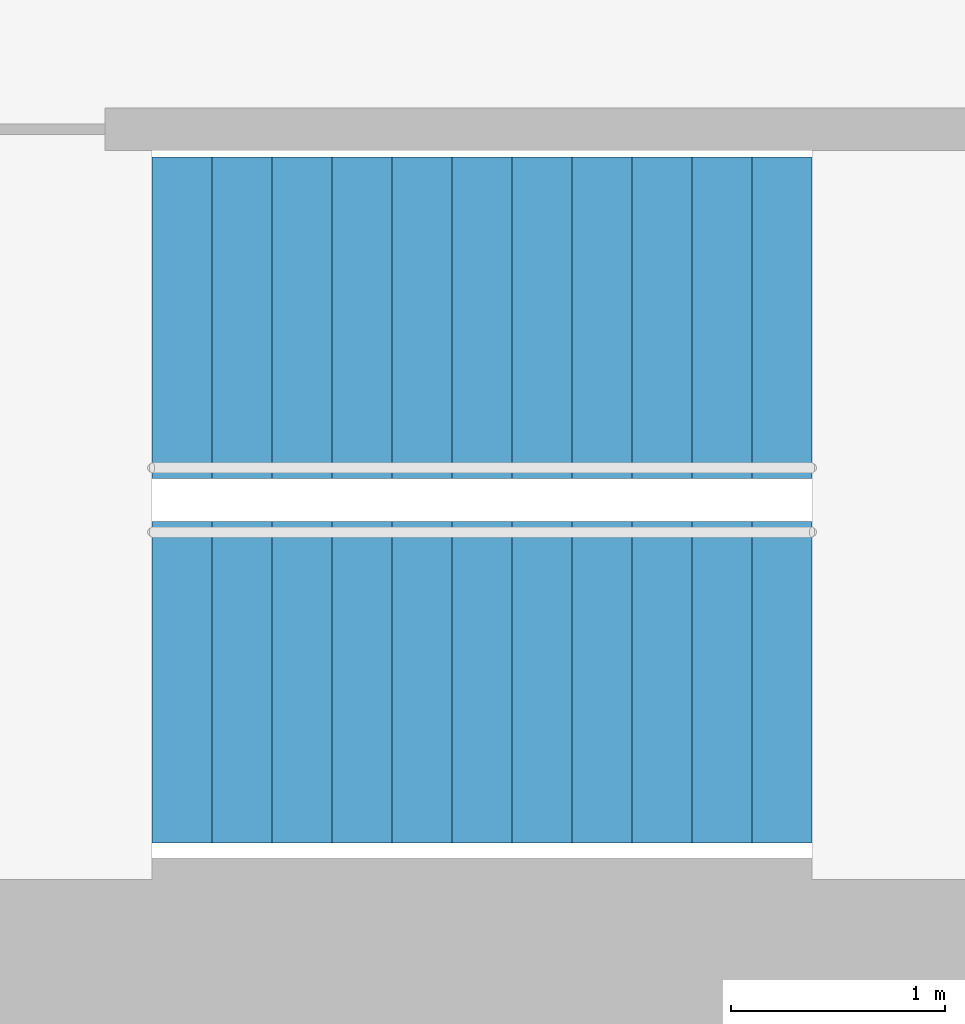
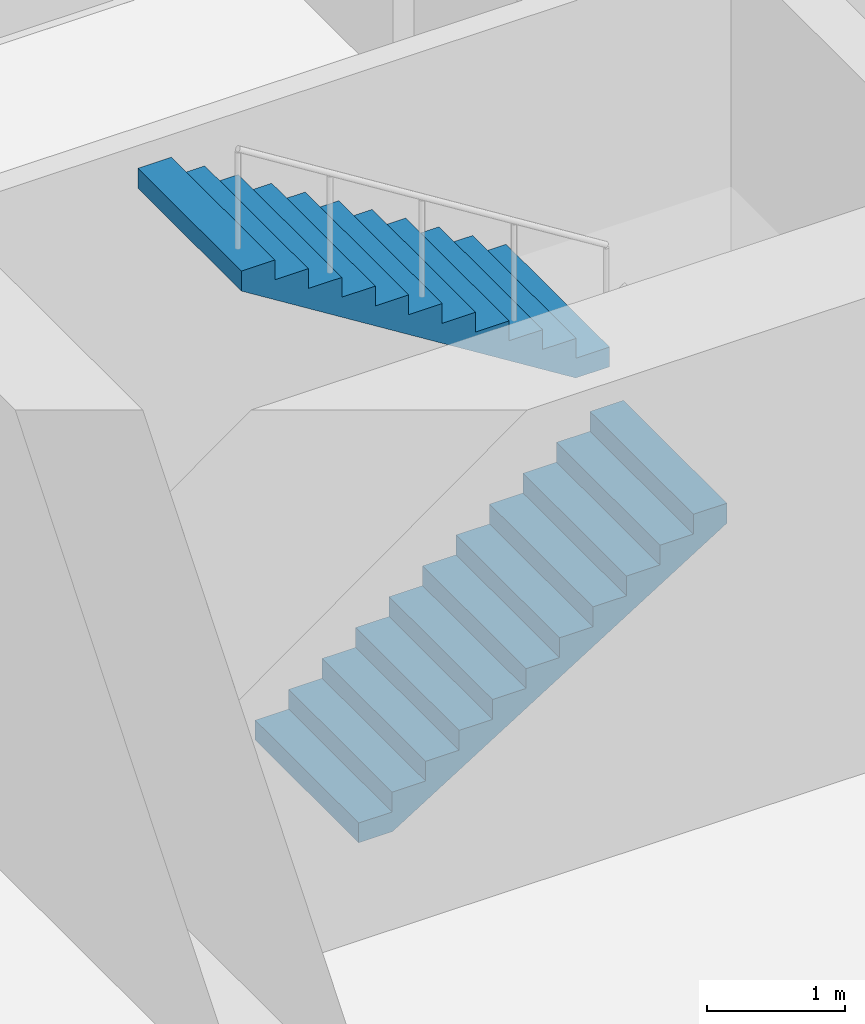
# One storey, part 14 of 17: 2 stair flights, 1 element without a shape of its own.
"""IFC4 building model written with IfcOpenShell, lengths in metres."""

from ifc_helpers import new_model, si_unit, direction, frame, origin, place, context, subcontext, project, spatial, triangles, material, type_object, element, aggregate, save


model = new_model("IFC4")

# Units and contexts
model_context = context("Model", 3, precision=1e-05, world=origin(), true_north=direction((0.0, 1.0)))
body_context = subcontext(model_context, "Body", "Model", "MODEL_VIEW")
ifc_project = project(units=[si_unit("LENGTHUNIT", "METRE"), si_unit("AREAUNIT", "SQUARE_METRE"), si_unit("VOLUMEUNIT", "CUBIC_METRE"), si_unit("PLANEANGLEUNIT", "RADIAN"), si_unit("MASSUNIT", "GRAM", prefix="KILO")], contexts=[model_context])

# Site, building, storey
site_placement = place(None, origin())
site = spatial("IfcSite", under=ifc_project, at=site_placement, CompositionType="ELEMENT")
building_placement = place(site_placement, origin())
building = spatial("IfcBuilding", under=site, at=building_placement, Name="Lantaw Convention Tower", CompositionType="ELEMENT")
storey_placement = place(building_placement, frame((0.0, 0.0, 199.0)))
storey = spatial("IfcBuildingStorey", under=building, at=storey_placement, Name="L46", CompositionType="ELEMENT", Elevation=199.0)

# Stair, stair flights
ifc_material = material(Name="Concrete C35/45", Category="concrete")
stair_type = type_object("IfcStairType", Name="Exit stair 1500 riser 175 in 2 flights", PredefinedType="HALF_TURN_STAIR", material=ifc_material)
stair_placement = place(storey_placement, origin())
stair = element("IfcStair", 1, at=stair_placement, inside=storey, type_object=stair_type, Name="Exit stair S1 L46", PredefinedType="HALF_TURN_STAIR")
stair_flight_type = type_object("IfcStairFlightType", Name="Stair flight 1500 riser 175", PredefinedType="STRAIGHT", material=ifc_material)
stair_flight_1_placement = place(storey_placement, frame((-10.580078125, -5.97998046875, 0.0), z_axis=(0.0, 0.0, 1.0), x_axis=(1.0, 0.0, 0.0)))
stair_flight_1 = element("IfcStairFlight", 2, at=stair_flight_1_placement, type_object=stair_flight_type, Name="S1 flight 1", NumberOfRisers=12, NumberOfTreads=11, PredefinedType="STRAIGHT", RiserHeight=0.175, TreadLength=0.28, context=body_context, shape_type="Tessellation", body=[
    triangles([(0.0, 0.75, 0.0), (0.0, 0.75, 0.175), (0.28, 0.75, 0.0), (0.28, 0.75, 0.175), (0.28, 0.75, 0.35), (0.28283517651771284, 0.75, 0.0), (0.28283517651771284, 0.75, 0.35), (0.56, 0.75, 0.17322801467642948), (0.56, 0.75, 0.35), (0.56, 0.75, 0.5249999999999999), (0.8400000000000001, 0.75, 0.34822801467642944), (0.8400000000000001, 0.75, 0.5249999999999999), (0.8400000000000001, 0.75, 0.7), (1.12, 0.75, 0.5232280146764294), (1.12, 0.75, 0.7), (1.12, 0.75, 0.875), (1.4000000000000001, 0.75, 0.6982280146764295), (1.4000000000000001, 0.75, 0.875), (1.4000000000000001, 0.75, 1.0499999999999998), (1.6800000000000002, 0.75, 0.8732280146764294), (1.6800000000000002, 0.75, 1.0499999999999998), (1.6800000000000002, 0.75, 1.2249999999999999), (1.9600000000000002, 0.75, 1.0482280146764293), (1.9600000000000002, 0.75, 1.2249999999999999), (1.9600000000000002, 0.75, 1.4), (2.24, 0.75, 1.2232280146764294), (2.24, 0.75, 1.4), (2.24, 0.75, 1.575), (2.5200000000000005, 0.75, 1.3982280146764294), (2.5200000000000005, 0.75, 1.575), (2.5200000000000005, 0.75, 1.75), (2.8000000000000003, 0.75, 1.5732280146764293), (2.8000000000000003, 0.75, 1.75), (2.8000000000000003, 0.75, 1.9249999999999998), (3.08, 0.75, 1.7482280146764293), (3.08, 0.75, 1.9249999999999998), (0.0, -0.75, 0.0), (0.0, -0.75, 0.175), (0.28, -0.75, 0.0), (0.28, -0.75, 0.175), (0.28, -0.75, 0.35), (0.28283517651771284, -0.75, 0.0), (0.28283517651771284, -0.75, 0.35), (0.56, -0.75, 0.17322801467642948), (0.56, -0.75, 0.35), (0.56, -0.75, 0.5249999999999999), (0.8400000000000001, -0.75, 0.34822801467642944), (0.8400000000000001, -0.75, 0.5249999999999999), (0.8400000000000001, -0.75, 0.7), (1.12, -0.75, 0.5232280146764294), (1.12, -0.75, 0.7), (1.12, -0.75, 0.875), (1.4000000000000001, -0.75, 0.6982280146764295), (1.4000000000000001, -0.75, 0.875), (1.4000000000000001, -0.75, 1.0499999999999998), (1.6800000000000002, -0.75, 0.8732280146764294), (1.6800000000000002, -0.75, 1.0499999999999998), (1.6800000000000002, -0.75, 1.2249999999999999), (1.9600000000000002, -0.75, 1.0482280146764293), (1.9600000000000002, -0.75, 1.2249999999999999), (1.9600000000000002, -0.75, 1.4), (2.24, -0.75, 1.2232280146764294), (2.24, -0.75, 1.4), (2.24, -0.75, 1.575), (2.5200000000000005, -0.75, 1.3982280146764294), (2.5200000000000005, -0.75, 1.575), (2.5200000000000005, -0.75, 1.75), (2.8000000000000003, -0.75, 1.5732280146764293), (2.8000000000000003, -0.75, 1.75), (2.8000000000000003, -0.75, 1.9249999999999998), (3.08, -0.75, 1.7482280146764293), (3.08, -0.75, 1.9249999999999998), (0.0, 0.15000000000000002, 0.175), (0.0, 0.15000000000000002, 0.0), (0.0, 0.0, 0.175), (0.0, 0.0, 0.0), (0.0, -0.15000000000000002, 0.175), (0.0, -0.15000000000000002, 0.0), (0.28, 0.15000000000000002, 0.35), (0.28, 0.15000000000000002, 0.175), (0.28, 0.0, 0.35), (0.28, 0.0, 0.175), (0.28, -0.15000000000000002, 0.35), (0.28, -0.15000000000000002, 0.175), (0.56, 0.15000000000000002, 0.5249999999999999), (0.56, 0.15000000000000002, 0.35), (0.56, 0.0, 0.5249999999999999), (0.56, 0.0, 0.35), (0.56, -0.15000000000000002, 0.5249999999999999), (0.56, -0.15000000000000002, 0.35), (0.8400000000000001, 0.15000000000000002, 0.7), (0.8400000000000001, 0.15000000000000002, 0.5249999999999999), (0.8400000000000001, 0.0, 0.7), (0.8400000000000001, 0.0, 0.5249999999999999), (0.8400000000000001, -0.15000000000000002, 0.7), (0.8400000000000001, -0.15000000000000002, 0.5249999999999999), (1.12, 0.15000000000000002, 0.875), (1.12, 0.15000000000000002, 0.7), (1.12, 0.0, 0.875), (1.12, 0.0, 0.7), (1.12, -0.15000000000000002, 0.875), (1.12, -0.15000000000000002, 0.7), (1.4000000000000001, 0.15000000000000002, 1.0499999999999998), (1.4000000000000001, 0.15000000000000002, 0.875), (1.4000000000000001, 0.0, 1.0499999999999998), (1.4000000000000001, 0.0, 0.875), (1.4000000000000001, -0.15000000000000002, 1.0499999999999998), (1.4000000000000001, -0.15000000000000002, 0.875), (1.6800000000000002, 0.15000000000000002, 1.2249999999999999), (1.6800000000000002, 0.15000000000000002, 1.0499999999999998), (1.6800000000000002, 0.0, 1.2249999999999999), (1.6800000000000002, 0.0, 1.0499999999999998), (1.6800000000000002, -0.15000000000000002, 1.2249999999999999), (1.6800000000000002, -0.15000000000000002, 1.0499999999999998), (1.9600000000000002, 0.15000000000000002, 1.4), (1.9600000000000002, 0.15000000000000002, 1.2249999999999999), (1.9600000000000002, 0.0, 1.4), (1.9600000000000002, 0.0, 1.2249999999999999), (1.9600000000000002, -0.15000000000000002, 1.4), (1.9600000000000002, -0.15000000000000002, 1.2249999999999999), (2.24, 0.15000000000000002, 1.575), (2.24, 0.15000000000000002, 1.4), (2.24, 0.0, 1.575), (2.24, 0.0, 1.4), (2.24, -0.15000000000000002, 1.575), (2.24, -0.15000000000000002, 1.4), (2.5200000000000005, 0.15000000000000002, 1.75), (2.5200000000000005, 0.15000000000000002, 1.575), (2.5200000000000005, 0.0, 1.75), (2.5200000000000005, 0.0, 1.575), (2.5200000000000005, -0.15000000000000002, 1.75), (2.5200000000000005, -0.15000000000000002, 1.575), (2.8000000000000003, 0.15000000000000002, 1.9249999999999998), (2.8000000000000003, 0.15000000000000002, 1.75), (2.8000000000000003, 0.0, 1.9249999999999998), (2.8000000000000003, 0.0, 1.75), (2.8000000000000003, -0.15000000000000002, 1.9249999999999998), (2.8000000000000003, -0.15000000000000002, 1.75), (0.28283517651771284, 0.15000000000000002, 0.35), (0.28283517651771284, 0.0, 0.35), (0.28283517651771284, -0.15000000000000002, 0.35), (3.08, 0.15000000000000002, 1.9249999999999998), (3.08, 0.0, 1.9249999999999998), (3.08, -0.15000000000000002, 1.9249999999999998), (3.08, 0.15000000000000002, 1.7482280146764293), (3.08, 0.0, 1.7482280146764293), (3.08, -0.15000000000000002, 1.7482280146764293), (2.8000000000000003, 0.15000000000000002, 1.5732280146764293), (2.8000000000000003, 0.0, 1.5732280146764293), (2.8000000000000003, -0.15000000000000002, 1.5732280146764293), (2.5200000000000005, 0.15000000000000002, 1.3982280146764294), (2.5200000000000005, 0.0, 1.3982280146764294), (2.5200000000000005, -0.15000000000000002, 1.3982280146764294), (2.24, 0.15000000000000002, 1.2232280146764294), (2.24, 0.0, 1.2232280146764294), (2.24, -0.15000000000000002, 1.2232280146764294), (1.9600000000000002, 0.15000000000000002, 1.0482280146764293), (1.9600000000000002, 0.0, 1.0482280146764293), (1.9600000000000002, -0.15000000000000002, 1.0482280146764293), (1.6800000000000002, 0.15000000000000002, 0.8732280146764294), (1.6800000000000002, 0.0, 0.8732280146764294), (1.6800000000000002, -0.15000000000000002, 0.8732280146764294), (1.4000000000000001, 0.15000000000000002, 0.6982280146764295), (1.4000000000000001, 0.0, 0.6982280146764295), (1.4000000000000001, -0.15000000000000002, 0.6982280146764295), (1.12, 0.15000000000000002, 0.5232280146764294), (1.12, 0.0, 0.5232280146764294), (1.12, -0.15000000000000002, 0.5232280146764294), (0.8400000000000001, 0.15000000000000002, 0.34822801467642944), (0.8400000000000001, 0.0, 0.34822801467642944), (0.8400000000000001, -0.15000000000000002, 0.34822801467642944), (0.56, 0.15000000000000002, 0.17322801467642948), (0.56, 0.0, 0.17322801467642948), (0.56, -0.15000000000000002, 0.17322801467642948), (0.28283517651771284, 0.15000000000000002, 0.0), (0.28283517651771284, 0.0, 0.0), (0.28283517651771284, -0.15000000000000002, 0.0), (0.28, 0.15000000000000002, 0.0), (0.28, 0.0, 0.0), (0.28, -0.15000000000000002, 0.0)], [[1, 4, 3], [1, 2, 4], [3, 4, 6], [4, 7, 6], [4, 5, 7], [6, 9, 8], [6, 7, 9], [8, 9, 11], [9, 12, 11], [9, 10, 12], [11, 12, 14], [12, 15, 14], [12, 13, 15], [14, 15, 17], [15, 18, 17], [15, 16, 18], [17, 18, 20], [18, 21, 20], [18, 19, 21], [20, 21, 23], [21, 24, 23], [21, 22, 24], [23, 24, 26], [24, 27, 26], [24, 25, 27], [26, 27, 29], [27, 30, 29], [27, 28, 30], [29, 30, 32], [30, 33, 32], [30, 31, 33], [32, 33, 35], [33, 36, 35], [33, 34, 36], [37, 39, 40], [37, 40, 38], [39, 42, 40], [40, 42, 43], [40, 43, 41], [42, 44, 45], [42, 45, 43], [44, 47, 45], [45, 47, 48], [45, 48, 46], [47, 50, 48], [48, 50, 51], [48, 51, 49], [50, 53, 51], [51, 53, 54], [51, 54, 52], [53, 56, 54], [54, 56, 57], [54, 57, 55], [56, 59, 57], [57, 59, 60], [57, 60, 58], [59, 62, 60], [60, 62, 63], [60, 63, 61], [62, 65, 63], [63, 65, 66], [63, 66, 64], [65, 68, 66], [66, 68, 69], [66, 69, 67], [68, 71, 69], [69, 71, 72], [69, 72, 70], [1, 73, 2], [1, 74, 73], [74, 75, 73], [74, 76, 75], [76, 77, 75], [76, 78, 77], [78, 38, 77], [78, 37, 38], [4, 79, 5], [4, 80, 79], [80, 81, 79], [80, 82, 81], [82, 83, 81], [82, 84, 83], [84, 41, 83], [84, 40, 41], [9, 85, 10], [9, 86, 85], [86, 87, 85], [86, 88, 87], [88, 89, 87], [88, 90, 89], [90, 46, 89], [90, 45, 46], [12, 91, 13], [12, 92, 91], [92, 93, 91], [92, 94, 93], [94, 95, 93], [94, 96, 95], [96, 49, 95], [96, 48, 49], [15, 97, 16], [15, 98, 97], [98, 99, 97], [98, 100, 99], [100, 101, 99], [100, 102, 101], [102, 52, 101], [102, 51, 52], [18, 103, 19], [18, 104, 103], [104, 105, 103], [104, 106, 105], [106, 107, 105], [106, 108, 107], [108, 55, 107], [108, 54, 55], [21, 109, 22], [21, 110, 109], [110, 111, 109], [110, 112, 111], [112, 113, 111], [112, 114, 113], [114, 58, 113], [114, 57, 58], [24, 115, 25], [24, 116, 115], [116, 117, 115], [116, 118, 117], [118, 119, 117], [118, 120, 119], [120, 61, 119], [120, 60, 61], [27, 121, 28], [27, 122, 121], [122, 123, 121], [122, 124, 123], [124, 125, 123], [124, 126, 125], [126, 64, 125], [126, 63, 64], [30, 127, 31], [30, 128, 127], [128, 129, 127], [128, 130, 129], [130, 131, 129], [130, 132, 131], [132, 67, 131], [132, 66, 67], [33, 133, 34], [33, 134, 133], [134, 135, 133], [134, 136, 135], [136, 137, 135], [136, 138, 137], [138, 70, 137], [138, 69, 70], [2, 80, 4], [2, 73, 80], [73, 82, 80], [73, 75, 82], [75, 84, 82], [75, 77, 84], [77, 40, 84], [77, 38, 40], [5, 139, 7], [5, 79, 139], [79, 140, 139], [79, 81, 140], [81, 141, 140], [81, 83, 141], [83, 43, 141], [83, 41, 43], [7, 86, 9], [7, 139, 86], [139, 88, 86], [139, 140, 88], [140, 90, 88], [140, 141, 90], [141, 45, 90], [141, 43, 45], [10, 92, 12], [10, 85, 92], [85, 94, 92], [85, 87, 94], [87, 96, 94], [87, 89, 96], [89, 48, 96], [89, 46, 48], [13, 98, 15], [13, 91, 98], [91, 100, 98], [91, 93, 100], [93, 102, 100], [93, 95, 102], [95, 51, 102], [95, 49, 51], [16, 104, 18], [16, 97, 104], [97, 106, 104], [97, 99, 106], [99, 108, 106], [99, 101, 108], [101, 54, 108], [101, 52, 54], [19, 110, 21], [19, 103, 110], [103, 112, 110], [103, 105, 112], [105, 114, 112], [105, 107, 114], [107, 57, 114], [107, 55, 57], [22, 116, 24], [22, 109, 116], [109, 118, 116], [109, 111, 118], [111, 120, 118], [111, 113, 120], [113, 60, 120], [113, 58, 60], [25, 122, 27], [25, 115, 122], [115, 124, 122], [115, 117, 124], [117, 126, 124], [117, 119, 126], [119, 63, 126], [119, 61, 63], [28, 128, 30], [28, 121, 128], [121, 130, 128], [121, 123, 130], [123, 132, 130], [123, 125, 132], [125, 66, 132], [125, 64, 66], [31, 134, 33], [31, 127, 134], [127, 136, 134], [127, 129, 136], [129, 138, 136], [129, 131, 138], [131, 69, 138], [131, 67, 69], [34, 142, 36], [34, 133, 142], [133, 143, 142], [133, 135, 143], [135, 144, 143], [135, 137, 144], [137, 72, 144], [137, 70, 72], [36, 145, 35], [36, 142, 145], [142, 146, 145], [142, 143, 146], [143, 147, 146], [143, 144, 147], [144, 71, 147], [144, 72, 71], [35, 148, 32], [35, 145, 148], [145, 149, 148], [145, 146, 149], [146, 150, 149], [146, 147, 150], [147, 68, 150], [147, 71, 68], [32, 151, 29], [32, 148, 151], [148, 152, 151], [148, 149, 152], [149, 153, 152], [149, 150, 153], [150, 65, 153], [150, 68, 65], [29, 154, 26], [29, 151, 154], [151, 155, 154], [151, 152, 155], [152, 156, 155], [152, 153, 156], [153, 62, 156], [153, 65, 62], [26, 157, 23], [26, 154, 157], [154, 158, 157], [154, 155, 158], [155, 159, 158], [155, 156, 159], [156, 59, 159], [156, 62, 59], [23, 160, 20], [23, 157, 160], [157, 161, 160], [157, 158, 161], [158, 162, 161], [158, 159, 162], [159, 56, 162], [159, 59, 56], [20, 163, 17], [20, 160, 163], [160, 164, 163], [160, 161, 164], [161, 165, 164], [161, 162, 165], [162, 53, 165], [162, 56, 53], [17, 166, 14], [17, 163, 166], [163, 167, 166], [163, 164, 167], [164, 168, 167], [164, 165, 168], [165, 50, 168], [165, 53, 50], [14, 169, 11], [14, 166, 169], [166, 170, 169], [166, 167, 170], [167, 171, 170], [167, 168, 171], [168, 47, 171], [168, 50, 47], [11, 172, 8], [11, 169, 172], [169, 173, 172], [169, 170, 173], [170, 174, 173], [170, 171, 174], [171, 44, 174], [171, 47, 44], [8, 175, 6], [8, 172, 175], [172, 176, 175], [172, 173, 176], [173, 177, 176], [173, 174, 177], [174, 42, 177], [174, 44, 42], [6, 178, 3], [6, 175, 178], [175, 179, 178], [175, 176, 179], [176, 180, 179], [176, 177, 180], [177, 39, 180], [177, 42, 39], [3, 74, 1], [3, 178, 74], [178, 76, 74], [178, 179, 76], [179, 78, 76], [179, 180, 78], [180, 37, 78], [180, 39, 37]], closed=True),
])
stair_flight_2_placement = place(storey_placement, frame((-7.5, -4.280029296875, 2.10009765625), z_axis=(0.0, 0.0, 1.0), x_axis=(-1.0, 0.0, 0.0)))
stair_flight_2 = element("IfcStairFlight", 3, at=stair_flight_2_placement, type_object=stair_flight_type, Name="S1 flight 2", NumberOfRisers=12, NumberOfTreads=11, PredefinedType="STRAIGHT", RiserHeight=0.175, TreadLength=0.28, context=body_context, shape_type="Tessellation", body=[
    triangles([(0.0, 0.75, 0.0), (0.0, 0.75, 0.175), (0.28, 0.75, 0.0), (0.28, 0.75, 0.175), (0.28, 0.75, 0.35), (0.28283517651771284, 0.75, 0.0), (0.28283517651771284, 0.75, 0.35), (0.56, 0.75, 0.17322801467642948), (0.56, 0.75, 0.35), (0.56, 0.75, 0.5249999999999999), (0.8400000000000001, 0.75, 0.34822801467642944), (0.8400000000000001, 0.75, 0.5249999999999999), (0.8400000000000001, 0.75, 0.7), (1.12, 0.75, 0.5232280146764294), (1.12, 0.75, 0.7), (1.12, 0.75, 0.875), (1.4000000000000001, 0.75, 0.6982280146764295), (1.4000000000000001, 0.75, 0.875), (1.4000000000000001, 0.75, 1.0499999999999998), (1.6800000000000002, 0.75, 0.8732280146764294), (1.6800000000000002, 0.75, 1.0499999999999998), (1.6800000000000002, 0.75, 1.2249999999999999), (1.9600000000000002, 0.75, 1.0482280146764293), (1.9600000000000002, 0.75, 1.2249999999999999), (1.9600000000000002, 0.75, 1.4), (2.24, 0.75, 1.2232280146764294), (2.24, 0.75, 1.4), (2.24, 0.75, 1.575), (2.5200000000000005, 0.75, 1.3982280146764294), (2.5200000000000005, 0.75, 1.575), (2.5200000000000005, 0.75, 1.75), (2.8000000000000003, 0.75, 1.5732280146764293), (2.8000000000000003, 0.75, 1.75), (2.8000000000000003, 0.75, 1.9249999999999998), (3.08, 0.75, 1.7482280146764293), (3.08, 0.75, 1.9249999999999998), (0.0, -0.75, 0.0), (0.0, -0.75, 0.175), (0.28, -0.75, 0.0), (0.28, -0.75, 0.175), (0.28, -0.75, 0.35), (0.28283517651771284, -0.75, 0.0), (0.28283517651771284, -0.75, 0.35), (0.56, -0.75, 0.17322801467642948), (0.56, -0.75, 0.35), (0.56, -0.75, 0.5249999999999999), (0.8400000000000001, -0.75, 0.34822801467642944), (0.8400000000000001, -0.75, 0.5249999999999999), (0.8400000000000001, -0.75, 0.7), (1.12, -0.75, 0.5232280146764294), (1.12, -0.75, 0.7), (1.12, -0.75, 0.875), (1.4000000000000001, -0.75, 0.6982280146764295), (1.4000000000000001, -0.75, 0.875), (1.4000000000000001, -0.75, 1.0499999999999998), (1.6800000000000002, -0.75, 0.8732280146764294), (1.6800000000000002, -0.75, 1.0499999999999998), (1.6800000000000002, -0.75, 1.2249999999999999), (1.9600000000000002, -0.75, 1.0482280146764293), (1.9600000000000002, -0.75, 1.2249999999999999), (1.9600000000000002, -0.75, 1.4), (2.24, -0.75, 1.2232280146764294), (2.24, -0.75, 1.4), (2.24, -0.75, 1.575), (2.5200000000000005, -0.75, 1.3982280146764294), (2.5200000000000005, -0.75, 1.575), (2.5200000000000005, -0.75, 1.75), (2.8000000000000003, -0.75, 1.5732280146764293), (2.8000000000000003, -0.75, 1.75), (2.8000000000000003, -0.75, 1.9249999999999998), (3.08, -0.75, 1.7482280146764293), (3.08, -0.75, 1.9249999999999998), (0.0, 0.15000000000000002, 0.175), (0.0, 0.15000000000000002, 0.0), (0.0, 0.0, 0.175), (0.0, 0.0, 0.0), (0.0, -0.15000000000000002, 0.175), (0.0, -0.15000000000000002, 0.0), (0.28, 0.15000000000000002, 0.35), (0.28, 0.15000000000000002, 0.175), (0.28, 0.0, 0.35), (0.28, 0.0, 0.175), (0.28, -0.15000000000000002, 0.35), (0.28, -0.15000000000000002, 0.175), (0.56, 0.15000000000000002, 0.5249999999999999), (0.56, 0.15000000000000002, 0.35), (0.56, 0.0, 0.5249999999999999), (0.56, 0.0, 0.35), (0.56, -0.15000000000000002, 0.5249999999999999), (0.56, -0.15000000000000002, 0.35), (0.8400000000000001, 0.15000000000000002, 0.7), (0.8400000000000001, 0.15000000000000002, 0.5249999999999999), (0.8400000000000001, 0.0, 0.7), (0.8400000000000001, 0.0, 0.5249999999999999), (0.8400000000000001, -0.15000000000000002, 0.7), (0.8400000000000001, -0.15000000000000002, 0.5249999999999999), (1.12, 0.15000000000000002, 0.875), (1.12, 0.15000000000000002, 0.7), (1.12, 0.0, 0.875), (1.12, 0.0, 0.7), (1.12, -0.15000000000000002, 0.875), (1.12, -0.15000000000000002, 0.7), (1.4000000000000001, 0.15000000000000002, 1.0499999999999998), (1.4000000000000001, 0.15000000000000002, 0.875), (1.4000000000000001, 0.0, 1.0499999999999998), (1.4000000000000001, 0.0, 0.875), (1.4000000000000001, -0.15000000000000002, 1.0499999999999998), (1.4000000000000001, -0.15000000000000002, 0.875), (1.6800000000000002, 0.15000000000000002, 1.2249999999999999), (1.6800000000000002, 0.15000000000000002, 1.0499999999999998), (1.6800000000000002, 0.0, 1.2249999999999999), (1.6800000000000002, 0.0, 1.0499999999999998), (1.6800000000000002, -0.15000000000000002, 1.2249999999999999), (1.6800000000000002, -0.15000000000000002, 1.0499999999999998), (1.9600000000000002, 0.15000000000000002, 1.4), (1.9600000000000002, 0.15000000000000002, 1.2249999999999999), (1.9600000000000002, 0.0, 1.4), (1.9600000000000002, 0.0, 1.2249999999999999), (1.9600000000000002, -0.15000000000000002, 1.4), (1.9600000000000002, -0.15000000000000002, 1.2249999999999999), (2.24, 0.15000000000000002, 1.575), (2.24, 0.15000000000000002, 1.4), (2.24, 0.0, 1.575), (2.24, 0.0, 1.4), (2.24, -0.15000000000000002, 1.575), (2.24, -0.15000000000000002, 1.4), (2.5200000000000005, 0.15000000000000002, 1.75), (2.5200000000000005, 0.15000000000000002, 1.575), (2.5200000000000005, 0.0, 1.75), (2.5200000000000005, 0.0, 1.575), (2.5200000000000005, -0.15000000000000002, 1.75), (2.5200000000000005, -0.15000000000000002, 1.575), (2.8000000000000003, 0.15000000000000002, 1.9249999999999998), (2.8000000000000003, 0.15000000000000002, 1.75), (2.8000000000000003, 0.0, 1.9249999999999998), (2.8000000000000003, 0.0, 1.75), (2.8000000000000003, -0.15000000000000002, 1.9249999999999998), (2.8000000000000003, -0.15000000000000002, 1.75), (0.28283517651771284, 0.15000000000000002, 0.35), (0.28283517651771284, 0.0, 0.35), (0.28283517651771284, -0.15000000000000002, 0.35), (3.08, 0.15000000000000002, 1.9249999999999998), (3.08, 0.0, 1.9249999999999998), (3.08, -0.15000000000000002, 1.9249999999999998), (3.08, 0.15000000000000002, 1.7482280146764293), (3.08, 0.0, 1.7482280146764293), (3.08, -0.15000000000000002, 1.7482280146764293), (2.8000000000000003, 0.15000000000000002, 1.5732280146764293), (2.8000000000000003, 0.0, 1.5732280146764293), (2.8000000000000003, -0.15000000000000002, 1.5732280146764293), (2.5200000000000005, 0.15000000000000002, 1.3982280146764294), (2.5200000000000005, 0.0, 1.3982280146764294), (2.5200000000000005, -0.15000000000000002, 1.3982280146764294), (2.24, 0.15000000000000002, 1.2232280146764294), (2.24, 0.0, 1.2232280146764294), (2.24, -0.15000000000000002, 1.2232280146764294), (1.9600000000000002, 0.15000000000000002, 1.0482280146764293), (1.9600000000000002, 0.0, 1.0482280146764293), (1.9600000000000002, -0.15000000000000002, 1.0482280146764293), (1.6800000000000002, 0.15000000000000002, 0.8732280146764294), (1.6800000000000002, 0.0, 0.8732280146764294), (1.6800000000000002, -0.15000000000000002, 0.8732280146764294), (1.4000000000000001, 0.15000000000000002, 0.6982280146764295), (1.4000000000000001, 0.0, 0.6982280146764295), (1.4000000000000001, -0.15000000000000002, 0.6982280146764295), (1.12, 0.15000000000000002, 0.5232280146764294), (1.12, 0.0, 0.5232280146764294), (1.12, -0.15000000000000002, 0.5232280146764294), (0.8400000000000001, 0.15000000000000002, 0.34822801467642944), (0.8400000000000001, 0.0, 0.34822801467642944), (0.8400000000000001, -0.15000000000000002, 0.34822801467642944), (0.56, 0.15000000000000002, 0.17322801467642948), (0.56, 0.0, 0.17322801467642948), (0.56, -0.15000000000000002, 0.17322801467642948), (0.28283517651771284, 0.15000000000000002, 0.0), (0.28283517651771284, 0.0, 0.0), (0.28283517651771284, -0.15000000000000002, 0.0), (0.28, 0.15000000000000002, 0.0), (0.28, 0.0, 0.0), (0.28, -0.15000000000000002, 0.0)], [[1, 4, 3], [1, 2, 4], [3, 4, 6], [4, 7, 6], [4, 5, 7], [6, 9, 8], [6, 7, 9], [8, 9, 11], [9, 12, 11], [9, 10, 12], [11, 12, 14], [12, 15, 14], [12, 13, 15], [14, 15, 17], [15, 18, 17], [15, 16, 18], [17, 18, 20], [18, 21, 20], [18, 19, 21], [20, 21, 23], [21, 24, 23], [21, 22, 24], [23, 24, 26], [24, 27, 26], [24, 25, 27], [26, 27, 29], [27, 30, 29], [27, 28, 30], [29, 30, 32], [30, 33, 32], [30, 31, 33], [32, 33, 35], [33, 36, 35], [33, 34, 36], [37, 39, 40], [37, 40, 38], [39, 42, 40], [40, 42, 43], [40, 43, 41], [42, 44, 45], [42, 45, 43], [44, 47, 45], [45, 47, 48], [45, 48, 46], [47, 50, 48], [48, 50, 51], [48, 51, 49], [50, 53, 51], [51, 53, 54], [51, 54, 52], [53, 56, 54], [54, 56, 57], [54, 57, 55], [56, 59, 57], [57, 59, 60], [57, 60, 58], [59, 62, 60], [60, 62, 63], [60, 63, 61], [62, 65, 63], [63, 65, 66], [63, 66, 64], [65, 68, 66], [66, 68, 69], [66, 69, 67], [68, 71, 69], [69, 71, 72], [69, 72, 70], [1, 73, 2], [1, 74, 73], [74, 75, 73], [74, 76, 75], [76, 77, 75], [76, 78, 77], [78, 38, 77], [78, 37, 38], [4, 79, 5], [4, 80, 79], [80, 81, 79], [80, 82, 81], [82, 83, 81], [82, 84, 83], [84, 41, 83], [84, 40, 41], [9, 85, 10], [9, 86, 85], [86, 87, 85], [86, 88, 87], [88, 89, 87], [88, 90, 89], [90, 46, 89], [90, 45, 46], [12, 91, 13], [12, 92, 91], [92, 93, 91], [92, 94, 93], [94, 95, 93], [94, 96, 95], [96, 49, 95], [96, 48, 49], [15, 97, 16], [15, 98, 97], [98, 99, 97], [98, 100, 99], [100, 101, 99], [100, 102, 101], [102, 52, 101], [102, 51, 52], [18, 103, 19], [18, 104, 103], [104, 105, 103], [104, 106, 105], [106, 107, 105], [106, 108, 107], [108, 55, 107], [108, 54, 55], [21, 109, 22], [21, 110, 109], [110, 111, 109], [110, 112, 111], [112, 113, 111], [112, 114, 113], [114, 58, 113], [114, 57, 58], [24, 115, 25], [24, 116, 115], [116, 117, 115], [116, 118, 117], [118, 119, 117], [118, 120, 119], [120, 61, 119], [120, 60, 61], [27, 121, 28], [27, 122, 121], [122, 123, 121], [122, 124, 123], [124, 125, 123], [124, 126, 125], [126, 64, 125], [126, 63, 64], [30, 127, 31], [30, 128, 127], [128, 129, 127], [128, 130, 129], [130, 131, 129], [130, 132, 131], [132, 67, 131], [132, 66, 67], [33, 133, 34], [33, 134, 133], [134, 135, 133], [134, 136, 135], [136, 137, 135], [136, 138, 137], [138, 70, 137], [138, 69, 70], [2, 80, 4], [2, 73, 80], [73, 82, 80], [73, 75, 82], [75, 84, 82], [75, 77, 84], [77, 40, 84], [77, 38, 40], [5, 139, 7], [5, 79, 139], [79, 140, 139], [79, 81, 140], [81, 141, 140], [81, 83, 141], [83, 43, 141], [83, 41, 43], [7, 86, 9], [7, 139, 86], [139, 88, 86], [139, 140, 88], [140, 90, 88], [140, 141, 90], [141, 45, 90], [141, 43, 45], [10, 92, 12], [10, 85, 92], [85, 94, 92], [85, 87, 94], [87, 96, 94], [87, 89, 96], [89, 48, 96], [89, 46, 48], [13, 98, 15], [13, 91, 98], [91, 100, 98], [91, 93, 100], [93, 102, 100], [93, 95, 102], [95, 51, 102], [95, 49, 51], [16, 104, 18], [16, 97, 104], [97, 106, 104], [97, 99, 106], [99, 108, 106], [99, 101, 108], [101, 54, 108], [101, 52, 54], [19, 110, 21], [19, 103, 110], [103, 112, 110], [103, 105, 112], [105, 114, 112], [105, 107, 114], [107, 57, 114], [107, 55, 57], [22, 116, 24], [22, 109, 116], [109, 118, 116], [109, 111, 118], [111, 120, 118], [111, 113, 120], [113, 60, 120], [113, 58, 60], [25, 122, 27], [25, 115, 122], [115, 124, 122], [115, 117, 124], [117, 126, 124], [117, 119, 126], [119, 63, 126], [119, 61, 63], [28, 128, 30], [28, 121, 128], [121, 130, 128], [121, 123, 130], [123, 132, 130], [123, 125, 132], [125, 66, 132], [125, 64, 66], [31, 134, 33], [31, 127, 134], [127, 136, 134], [127, 129, 136], [129, 138, 136], [129, 131, 138], [131, 69, 138], [131, 67, 69], [34, 142, 36], [34, 133, 142], [133, 143, 142], [133, 135, 143], [135, 144, 143], [135, 137, 144], [137, 72, 144], [137, 70, 72], [36, 145, 35], [36, 142, 145], [142, 146, 145], [142, 143, 146], [143, 147, 146], [143, 144, 147], [144, 71, 147], [144, 72, 71], [35, 148, 32], [35, 145, 148], [145, 149, 148], [145, 146, 149], [146, 150, 149], [146, 147, 150], [147, 68, 150], [147, 71, 68], [32, 151, 29], [32, 148, 151], [148, 152, 151], [148, 149, 152], [149, 153, 152], [149, 150, 153], [150, 65, 153], [150, 68, 65], [29, 154, 26], [29, 151, 154], [151, 155, 154], [151, 152, 155], [152, 156, 155], [152, 153, 156], [153, 62, 156], [153, 65, 62], [26, 157, 23], [26, 154, 157], [154, 158, 157], [154, 155, 158], [155, 159, 158], [155, 156, 159], [156, 59, 159], [156, 62, 59], [23, 160, 20], [23, 157, 160], [157, 161, 160], [157, 158, 161], [158, 162, 161], [158, 159, 162], [159, 56, 162], [159, 59, 56], [20, 163, 17], [20, 160, 163], [160, 164, 163], [160, 161, 164], [161, 165, 164], [161, 162, 165], [162, 53, 165], [162, 56, 53], [17, 166, 14], [17, 163, 166], [163, 167, 166], [163, 164, 167], [164, 168, 167], [164, 165, 168], [165, 50, 168], [165, 53, 50], [14, 169, 11], [14, 166, 169], [166, 170, 169], [166, 167, 170], [167, 171, 170], [167, 168, 171], [168, 47, 171], [168, 50, 47], [11, 172, 8], [11, 169, 172], [169, 173, 172], [169, 170, 173], [170, 174, 173], [170, 171, 174], [171, 44, 174], [171, 47, 44], [8, 175, 6], [8, 172, 175], [172, 176, 175], [172, 173, 176], [173, 177, 176], [173, 174, 177], [174, 42, 177], [174, 44, 42], [6, 178, 3], [6, 175, 178], [175, 179, 178], [175, 176, 179], [176, 180, 179], [176, 177, 180], [177, 39, 180], [177, 42, 39], [3, 74, 1], [3, 178, 74], [178, 76, 74], [178, 179, 76], [179, 78, 76], [179, 180, 78], [180, 37, 78], [180, 39, 37]], closed=True),
])
aggregate(stair, [stair_flight_1, stair_flight_2])

save(model, "model.ifc")
